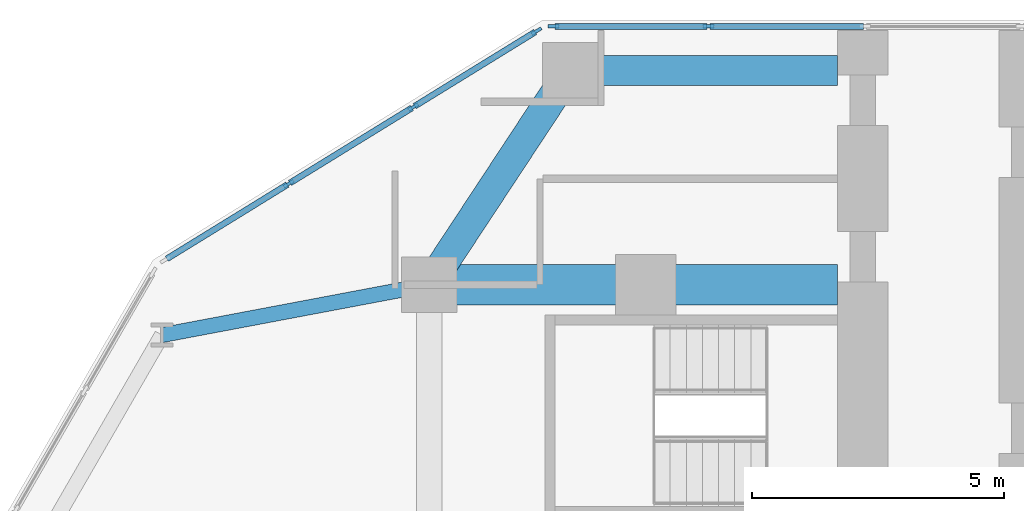
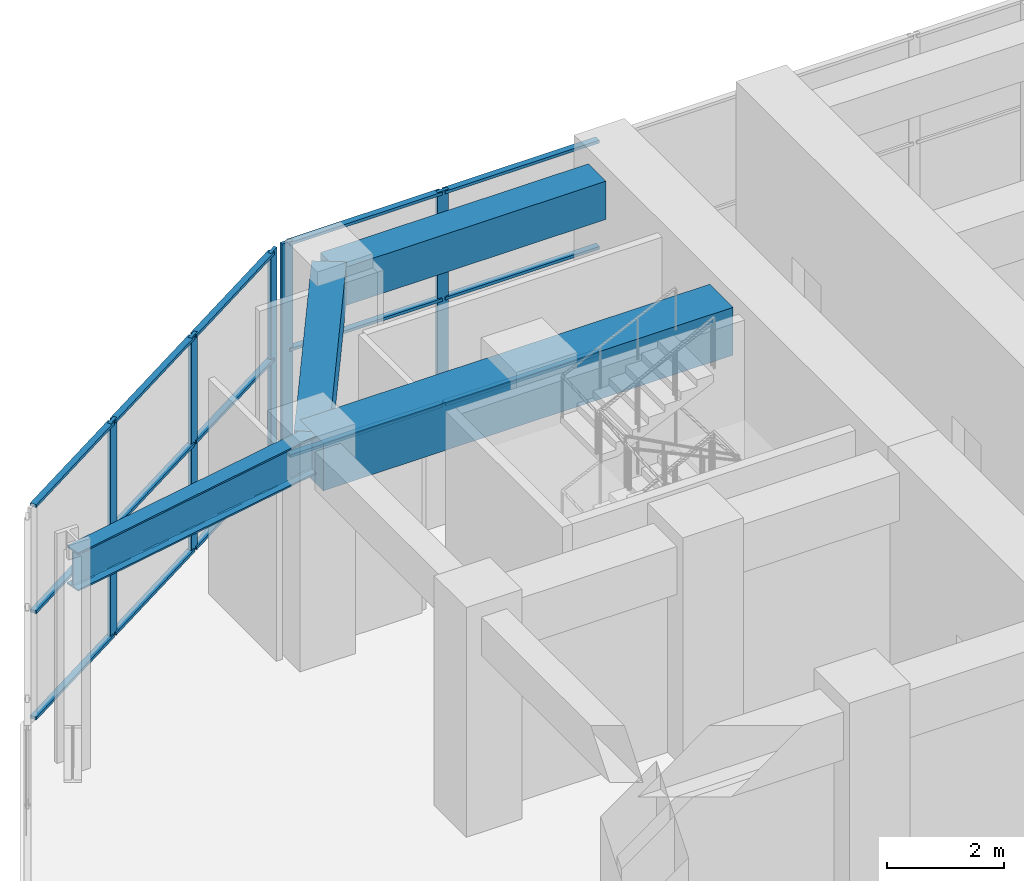
# One storey, part 8 of 22: 20 members, 4 beams, 2 elements without a shape of their own.
"""IFC4 building model written with IfcOpenShell, lengths in metres."""

from ifc_helpers import new_model, si_unit, direction, frame, origin, origin_2d, place, context, subcontext, project, spatial, rectangle, i_section, extrude, material, material_profile, profile_set, type_object, element, aggregate, save


model = new_model("IFC4")

# Units and contexts
model_context = context("Model", 3, precision=1e-05, world=origin(), true_north=direction((0.0, 1.0)))
body_context = subcontext(model_context, "Body", "Model", "MODEL_VIEW")
ifc_project = project(units=[si_unit("LENGTHUNIT", "METRE"), si_unit("AREAUNIT", "SQUARE_METRE"), si_unit("VOLUMEUNIT", "CUBIC_METRE"), si_unit("PLANEANGLEUNIT", "RADIAN"), si_unit("MASSUNIT", "GRAM", prefix="KILO")], contexts=[model_context])

# Site, building, storey
site_placement = place(None, origin())
site = spatial("IfcSite", under=ifc_project, at=site_placement, CompositionType="ELEMENT")
building_placement = place(site_placement, origin())
building = spatial("IfcBuilding", under=site, at=building_placement, Name="Kosmar Iwan School Tower", CompositionType="ELEMENT")
storey_placement = place(building_placement, frame((0.0, 0.0, 10.800048828125)))
storey = spatial("IfcBuildingStorey", under=building, at=storey_placement, Name="L02", CompositionType="ELEMENT", Elevation=10.800048828125)

# Beam
ifc_material_1 = material(Name="Steel S355", Category="steel")
ifc_material_profile_1 = material_profile(ifc_material_1, i_section(OverallWidth=0.300048828125, OverallDepth=0.800048828125, WebThickness=0.017578125, FlangeThickness=0.032958984375, FilletRadius=0.030029296875, at=origin_2d()), Name="HE 800 B")
ifc_profile_set_1 = profile_set([ifc_material_profile_1], Name="Steel S355")
beam_type_1 = type_object("IfcBeamType", Name="Infill edge beam HE 800 B", PredefinedType="BEAM", material=ifc_profile_set_1)
beam_1_placement = place(storey_placement, frame((-15.502197265625, 28.34912109375, 4.099853515625), z_axis=(0.982642984394, 0.185506779446, 0.0), x_axis=(-0.185506779446, 0.982642984394, 0.0)))
element("IfcBeam", 1, at=beam_1_placement, inside=storey, type_object=beam_type_1, Name="Infill edge beam AB5", PredefinedType="BEAM", context=body_context, shape_type="SweptSolid", body=[
    extrude(i_section(OverallWidth=0.300048828125, OverallDepth=0.800048828125, WebThickness=0.017578125, FlangeThickness=0.032958984375, FilletRadius=0.030029296875, at=origin_2d()), origin(), (0.0, 0.0, 1.0), 5.39599609375),
])

# Curtain wall, members
ifc_material_2 = material(Name="Dark glass in black aluminium frame", Category="aluminium")
curtain_wall_type_1 = type_object("IfcCurtainWallType", Name="Tower curtain wall dark glass", PredefinedType="USERDEFINED", material=ifc_material_2)
curtain_wall_1_placement = place(storey_placement, origin())
curtain_wall_1 = element("IfcCurtainWall", 2, at=curtain_wall_1_placement, inside=storey, type_object=curtain_wall_type_1, Name="Curtain wall L02-F06", ObjectType="UNITISED CURTAIN WALL", PredefinedType="USERDEFINED")
ifc_material_3 = material(Name="Black anodised aluminium", Category="aluminium")
ifc_material_profile_2 = material_profile(ifc_material_3, rectangle(XDim=0.06494140625, YDim=0.219970703125, at=origin_2d()), Name="MULLION 65x220")
ifc_profile_set_2 = profile_set([ifc_material_profile_2], Name="Black anodised aluminium")
member_type_1 = type_object("IfcMemberType", Name="Podium mullion 65x220", PredefinedType="MULLION", material=ifc_profile_set_2)
member_1_placement = place(storey_placement, frame((-4.65869140625, 34.47509765625, 0.0), z_axis=(0.0, 0.0, 1.0), x_axis=(0.0, -1.0, 0.0)))
member_1 = element("IfcMember", 3, at=member_1_placement, type_object=member_type_1, Name="CW1 mullion 5", PredefinedType="MULLION", context=body_context, shape_type="SweptSolid", body=[
    extrude(rectangle(XDim=0.06494140625, YDim=0.219970703125, at=origin_2d()), origin(), (0.0, 0.0, 1.0), 4.5),
])
member_2_placement = place(storey_placement, frame((-7.732177734375, 34.47509765625, 0.0), z_axis=(0.0, 0.0, 1.0), x_axis=(0.0, -1.0, 0.0)))
member_2 = element("IfcMember", 4, at=member_2_placement, type_object=member_type_1, Name="CW1 mullion 6", PredefinedType="MULLION", context=body_context, shape_type="SweptSolid", body=[
    extrude(rectangle(XDim=0.06494140625, YDim=0.219970703125, at=origin_2d()), origin(), (0.0, 0.0, 1.0), 4.5),
])

ifc_material_4 = material(Name="Dark glass in black aluminium frame", Category="aluminium")
curtain_wall_type_2 = type_object("IfcCurtainWallType", Name="Podium curtain wall", PredefinedType="USERDEFINED", material=ifc_material_4)
curtain_wall_2_placement = place(storey_placement, origin())
curtain_wall_2 = element("IfcCurtainWall", 5, at=curtain_wall_2_placement, inside=storey, type_object=curtain_wall_type_2, Name="Curtain wall L02-F07", ObjectType="STICK CURTAIN WALL", PredefinedType="USERDEFINED")
member_3_placement = place(storey_placement, frame((-8.070068359375, 34.37939453125, 0.0), z_axis=(0.0, 0.0, 1.0), x_axis=(0.524381722801, -0.851483299186, 0.0)))
member_3 = element("IfcMember", 6, at=member_3_placement, type_object=member_type_1, Name="CW3 mullion 1", PredefinedType="MULLION", context=body_context, shape_type="SweptSolid", body=[
    extrude(rectangle(XDim=0.06494140625, YDim=0.219970703125, at=origin_2d()), origin(), (0.0, 0.0, 1.0), 4.5),
])
member_4_placement = place(storey_placement, frame((-10.515380859375, 32.873291015625, 0.0), z_axis=(0.0, 0.0, 1.0), x_axis=(0.524381722801, -0.851483299186, 0.0)))
member_4 = element("IfcMember", 7, at=member_4_placement, type_object=member_type_1, Name="CW3 mullion 2", PredefinedType="MULLION", context=body_context, shape_type="SweptSolid", body=[
    extrude(rectangle(XDim=0.06494140625, YDim=0.219970703125, at=origin_2d()), origin(), (0.0, 0.0, 1.0), 4.5),
])
member_5_placement = place(storey_placement, frame((-12.988525390625, 31.350341796875, 0.0), z_axis=(0.0, 0.0, 1.0), x_axis=(0.524381722801, -0.851483299186, 0.0)))
member_5 = element("IfcMember", 8, at=member_5_placement, type_object=member_type_1, Name="CW3 mullion 3", PredefinedType="MULLION", context=body_context, shape_type="SweptSolid", body=[
    extrude(rectangle(XDim=0.06494140625, YDim=0.219970703125, at=origin_2d()), origin(), (0.0, 0.0, 1.0), 4.5),
])

# Beams
ifc_material_5 = material(Name="Concrete C50/60", Category="concrete")
ifc_material_profile_3 = material_profile(ifc_material_5, rectangle(XDim=0.60009765625, YDim=0.800048828125, at=origin_2d()), Name="RC 600x800")
ifc_profile_set_3 = profile_set([ifc_material_profile_3], Name="Concrete C50/60")
beam_type_2 = type_object("IfcBeamType", Name="RC tip beam 600x800", PredefinedType="BEAM", material=ifc_profile_set_3)
beam_2_placement = place(storey_placement, frame((-10.199951171875, 29.35009765625, 4.099853515625), z_axis=(0.550164383043, 0.835056376319, 0.0), x_axis=(-0.835056376319, 0.550164383043, 0.0)))
element("IfcBeam", 9, at=beam_2_placement, inside=storey, type_object=beam_type_2, Name="Tip beam AL", PredefinedType="BEAM", context=body_context, shape_type="SweptSolid", body=[
    extrude(rectangle(XDim=0.60009765625, YDim=0.800048828125, at=origin_2d()), origin(), (0.0, 0.0, 1.0), 5.08935546875),
])
beam_3_placement = place(storey_placement, frame((-7.39990234375, 33.60009765625, 4.099853515625), z_axis=(1.0, 0.0, 0.0), x_axis=(0.0, 1.0, 0.0)))
element("IfcBeam", 10, at=beam_3_placement, inside=storey, type_object=beam_type_2, Name="Tip beam AL to corridor wall", PredefinedType="BEAM", context=body_context, shape_type="SweptSolid", body=[
    extrude(rectangle(XDim=0.60009765625, YDim=0.800048828125, at=origin_2d()), origin(), (0.0, 0.0, 1.0), 5.2998046875),
])
ifc_material_6 = material(Name="Concrete C50/60", Category="concrete")
ifc_material_profile_4 = material_profile(ifc_material_6, rectangle(XDim=0.800048828125, YDim=1.0, at=origin_2d()), Name="RC 800x1000")
ifc_profile_set_4 = profile_set([ifc_material_profile_4], Name="Concrete C50/60")
beam_type_3 = type_object("IfcBeamType", Name="RC transverse beam 800x1000", PredefinedType="BEAM", material=ifc_profile_set_4)
beam_4_placement = place(storey_placement, frame((-10.199951171875, 29.35009765625, 4.0), z_axis=(1.0, 0.0, 0.0), x_axis=(0.0, 1.0, 0.0)))
element("IfcBeam", 11, at=beam_4_placement, inside=storey, type_object=beam_type_3, Name="Transverse beam AL4", PredefinedType="BEAM", context=body_context, shape_type="SweptSolid", body=[
    extrude(rectangle(XDim=0.800048828125, YDim=1.0, at=origin_2d()), origin(), (0.0, 0.0, 1.0), 8.099853515625),
])

# Member
ifc_material_7 = material(Name="Black anodised aluminium", Category="aluminium")
ifc_material_profile_5 = material_profile(ifc_material_7, rectangle(XDim=0.1201171875, YDim=0.06005859375, at=origin_2d()), Name="TRANSOM 60x120")
ifc_profile_set_5 = profile_set([ifc_material_profile_5], Name="Black anodised aluminium")
member_type_2 = type_object("IfcMemberType", Name="Transom 60x120", PredefinedType="USERDEFINED", material=ifc_profile_set_5)
member_6_placement = place(storey_placement, frame((-1.58544921875, 34.47509765625, 0.030029296875), z_axis=(-1.0, 0.0, 0.0), x_axis=(0.0, -1.0, 0.0)))
member_6 = element("IfcMember", 12, at=member_6_placement, type_object=member_type_2, Name="CW1 transom 4.1", ObjectType="TRANSOM", PredefinedType="USERDEFINED", context=body_context, shape_type="SweptSolid", body=[
    extrude(rectangle(XDim=0.1201171875, YDim=0.06005859375, at=origin_2d()), origin(), (0.0, 0.0, 1.0), 3.040771484375),
])

member_7_placement = place(storey_placement, frame((-1.58544921875, 34.47509765625, 2.25), z_axis=(-1.0, 0.0, 0.0), x_axis=(0.0, -1.0, 0.0)))
member_7 = element("IfcMember", 13, at=member_7_placement, type_object=member_type_2, Name="CW1 transom 4.2", ObjectType="TRANSOM", PredefinedType="USERDEFINED", context=body_context, shape_type="SweptSolid", body=[
    extrude(rectangle(XDim=0.1201171875, YDim=0.06005859375, at=origin_2d()), origin(), (0.0, 0.0, 1.0), 3.040771484375),
])

member_8_placement = place(storey_placement, frame((-1.58544921875, 34.47509765625, 4.469970703125), z_axis=(-1.0, 0.0, 0.0), x_axis=(0.0, -1.0, 0.0)))
member_8 = element("IfcMember", 14, at=member_8_placement, type_object=member_type_2, Name="CW1 transom 4.3", ObjectType="TRANSOM", PredefinedType="USERDEFINED", context=body_context, shape_type="SweptSolid", body=[
    extrude(rectangle(XDim=0.1201171875, YDim=0.06005859375, at=origin_2d()), origin(), (0.0, 0.0, 1.0), 3.040771484375),
])

member_9_placement = place(storey_placement, frame((-4.691162109375, 34.47509765625, 0.030029296875), z_axis=(-1.0, 0.0, 0.0), x_axis=(0.0, -1.0, 0.0)))
member_9 = element("IfcMember", 15, at=member_9_placement, type_object=member_type_2, Name="CW1 transom 5.1", ObjectType="TRANSOM", PredefinedType="USERDEFINED", context=body_context, shape_type="SweptSolid", body=[
    extrude(rectangle(XDim=0.1201171875, YDim=0.06005859375, at=origin_2d()), origin(), (0.0, 0.0, 1.0), 3.008544921875),
])

member_10_placement = place(storey_placement, frame((-4.691162109375, 34.47509765625, 2.25), z_axis=(-1.0, 0.0, 0.0), x_axis=(0.0, -1.0, 0.0)))
member_10 = element("IfcMember", 16, at=member_10_placement, type_object=member_type_2, Name="CW1 transom 5.2", ObjectType="TRANSOM", PredefinedType="USERDEFINED", context=body_context, shape_type="SweptSolid", body=[
    extrude(rectangle(XDim=0.1201171875, YDim=0.06005859375, at=origin_2d()), origin(), (0.0, 0.0, 1.0), 3.008544921875),
])

member_11_placement = place(storey_placement, frame((-4.691162109375, 34.47509765625, 4.469970703125), z_axis=(-1.0, 0.0, 0.0), x_axis=(0.0, -1.0, 0.0)))
member_11 = element("IfcMember", 17, at=member_11_placement, type_object=member_type_2, Name="CW1 transom 5.3", ObjectType="TRANSOM", PredefinedType="USERDEFINED", context=body_context, shape_type="SweptSolid", body=[
    extrude(rectangle(XDim=0.1201171875, YDim=0.06005859375, at=origin_2d()), origin(), (0.0, 0.0, 1.0), 3.008544921875),
])

aggregate(curtain_wall_1, [member_1, member_2, member_6, member_7, member_8, member_9, member_10, member_11])

member_12_placement = place(storey_placement, frame((-8.09765625, 34.3623046875, 0.030029296875), z_axis=(-0.851488054059, -0.52437400183, 0.0), x_axis=(0.52437400183, -0.851488054059, 0.0)))
member_12 = element("IfcMember", 18, at=member_12_placement, type_object=member_type_2, Name="CW3 transom 1.1", ObjectType="TRANSOM", PredefinedType="USERDEFINED", context=body_context, shape_type="SweptSolid", body=[
    extrude(rectangle(XDim=0.1201171875, YDim=0.06005859375, at=origin_2d()), origin(), (0.0, 0.0, 1.0), 2.80712890625),
])

member_13_placement = place(storey_placement, frame((-8.09765625, 34.3623046875, 2.25), z_axis=(-0.851488054059, -0.52437400183, 0.0), x_axis=(0.52437400183, -0.851488054059, 0.0)))
member_13 = element("IfcMember", 19, at=member_13_placement, type_object=member_type_2, Name="CW3 transom 1.2", ObjectType="TRANSOM", PredefinedType="USERDEFINED", context=body_context, shape_type="SweptSolid", body=[
    extrude(rectangle(XDim=0.1201171875, YDim=0.06005859375, at=origin_2d()), origin(), (0.0, 0.0, 1.0), 2.80712890625),
])

member_14_placement = place(storey_placement, frame((-8.09765625, 34.3623046875, 4.469970703125), z_axis=(-0.851488054059, -0.52437400183, 0.0), x_axis=(0.52437400183, -0.851488054059, 0.0)))
member_14 = element("IfcMember", 20, at=member_14_placement, type_object=member_type_2, Name="CW3 transom 1.3", ObjectType="TRANSOM", PredefinedType="USERDEFINED", context=body_context, shape_type="SweptSolid", body=[
    extrude(rectangle(XDim=0.1201171875, YDim=0.06005859375, at=origin_2d()), origin(), (0.0, 0.0, 1.0), 2.80712890625),
])

member_15_placement = place(storey_placement, frame((-10.54296875, 32.856201171875, 0.030029296875), z_axis=(-0.85151066898, -0.524337277536, 0.0), x_axis=(0.524337277536, -0.85151066898, 0.0)))
member_15 = element("IfcMember", 21, at=member_15_placement, type_object=member_type_2, Name="CW3 transom 2.1", ObjectType="TRANSOM", PredefinedType="USERDEFINED", context=body_context, shape_type="SweptSolid", body=[
    extrude(rectangle(XDim=0.1201171875, YDim=0.06005859375, at=origin_2d()), origin(), (0.0, 0.0, 1.0), 2.83935546875),
])

member_16_placement = place(storey_placement, frame((-10.54296875, 32.856201171875, 2.25), z_axis=(-0.85151066898, -0.524337277536, 0.0), x_axis=(0.524337277536, -0.85151066898, 0.0)))
member_16 = element("IfcMember", 22, at=member_16_placement, type_object=member_type_2, Name="CW3 transom 2.2", ObjectType="TRANSOM", PredefinedType="USERDEFINED", context=body_context, shape_type="SweptSolid", body=[
    extrude(rectangle(XDim=0.1201171875, YDim=0.06005859375, at=origin_2d()), origin(), (0.0, 0.0, 1.0), 2.83935546875),
])

member_17_placement = place(storey_placement, frame((-10.54296875, 32.856201171875, 4.469970703125), z_axis=(-0.85151066898, -0.524337277536, 0.0), x_axis=(0.524337277536, -0.85151066898, 0.0)))
member_17 = element("IfcMember", 23, at=member_17_placement, type_object=member_type_2, Name="CW3 transom 2.3", ObjectType="TRANSOM", PredefinedType="USERDEFINED", context=body_context, shape_type="SweptSolid", body=[
    extrude(rectangle(XDim=0.1201171875, YDim=0.06005859375, at=origin_2d()), origin(), (0.0, 0.0, 1.0), 2.83935546875),
])

member_18_placement = place(storey_placement, frame((-13.01611328125, 31.333251953125, 0.030029296875), z_axis=(-0.851488054059, -0.52437400183, 0.0), x_axis=(0.52437400183, -0.851488054059, 0.0)))
member_18 = element("IfcMember", 24, at=member_18_placement, type_object=member_type_2, Name="CW3 transom 3.1", ObjectType="TRANSOM", PredefinedType="USERDEFINED", context=body_context, shape_type="SweptSolid", body=[
    extrude(rectangle(XDim=0.1201171875, YDim=0.06005859375, at=origin_2d()), origin(), (0.0, 0.0, 1.0), 2.80712890625),
])

member_19_placement = place(storey_placement, frame((-13.01611328125, 31.333251953125, 2.25), z_axis=(-0.851488054059, -0.52437400183, 0.0), x_axis=(0.52437400183, -0.851488054059, 0.0)))
member_19 = element("IfcMember", 25, at=member_19_placement, type_object=member_type_2, Name="CW3 transom 3.2", ObjectType="TRANSOM", PredefinedType="USERDEFINED", context=body_context, shape_type="SweptSolid", body=[
    extrude(rectangle(XDim=0.1201171875, YDim=0.06005859375, at=origin_2d()), origin(), (0.0, 0.0, 1.0), 2.80712890625),
])

member_20_placement = place(storey_placement, frame((-13.01611328125, 31.333251953125, 4.469970703125), z_axis=(-0.851488054059, -0.52437400183, 0.0), x_axis=(0.52437400183, -0.851488054059, 0.0)))
member_20 = element("IfcMember", 26, at=member_20_placement, type_object=member_type_2, Name="CW3 transom 3.3", ObjectType="TRANSOM", PredefinedType="USERDEFINED", context=body_context, shape_type="SweptSolid", body=[
    extrude(rectangle(XDim=0.1201171875, YDim=0.06005859375, at=origin_2d()), origin(), (0.0, 0.0, 1.0), 2.80712890625),
])

aggregate(curtain_wall_2, [member_3, member_4, member_5, member_12, member_13, member_14, member_15, member_16, member_17, member_18, member_19, member_20])

save(model, "model.ifc")
